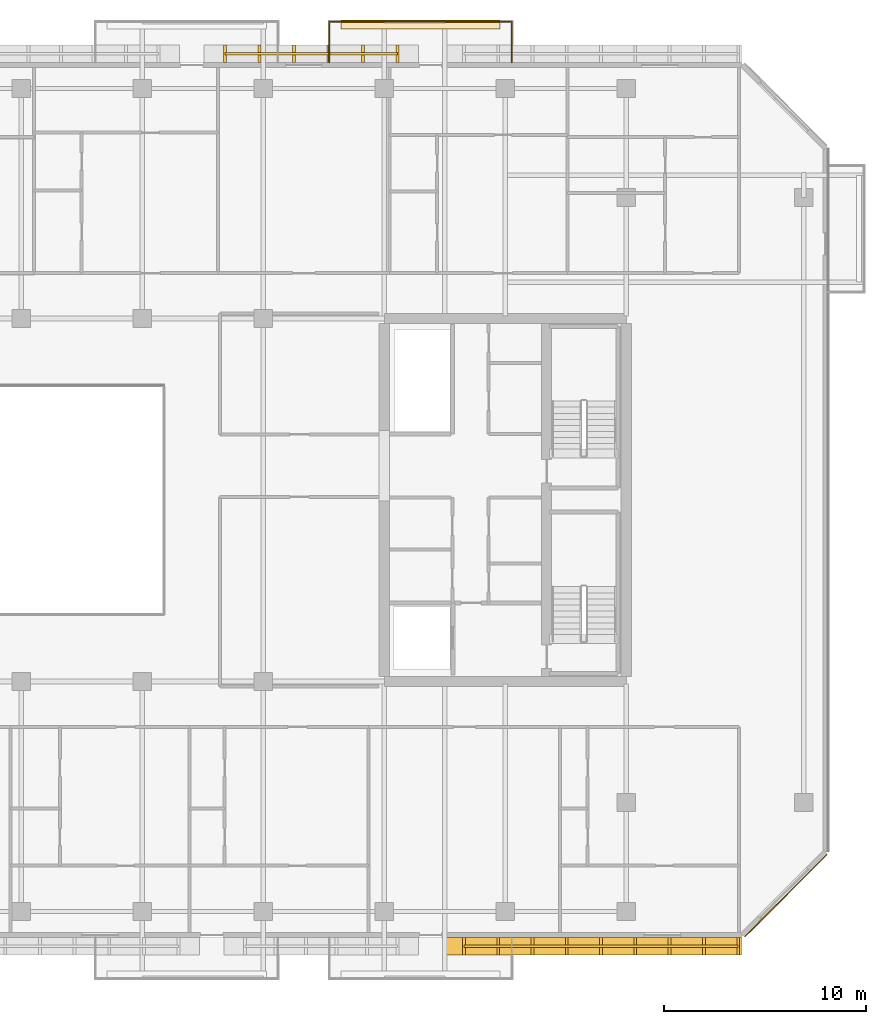
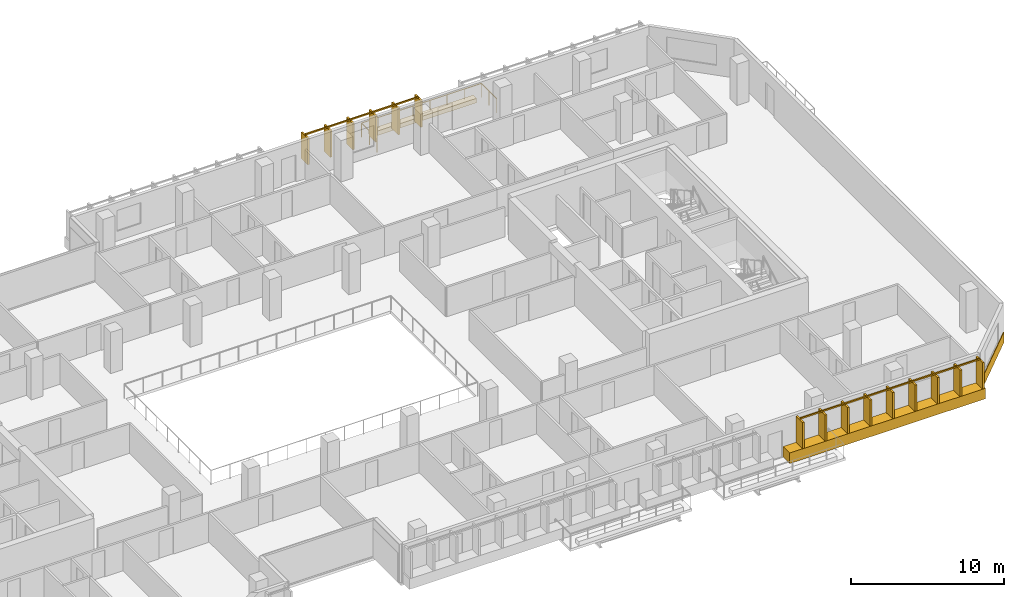
# One storey, part 19 of 21: 3 coverings, 3 railings.
"""IFC4 building model written with IfcOpenShell, lengths in metres."""

from ifc_helpers import new_model, si_unit, direction, frame, origin, origin_2d, place, context, subcontext, project, spatial, polyline, rectangle, outline, extrude, material, layer, layer_set, type_object, element, save


model = new_model("IFC4")

# Units and contexts
model_context = context("Model", 3, precision=1e-05, world=origin(), true_north=direction((0.0, 1.0)))
body_context = subcontext(model_context, "Body", "Model", "MODEL_VIEW")
ifc_project = project(units=[si_unit("LENGTHUNIT", "METRE"), si_unit("AREAUNIT", "SQUARE_METRE"), si_unit("VOLUMEUNIT", "CUBIC_METRE"), si_unit("PLANEANGLEUNIT", "RADIAN"), si_unit("MASSUNIT", "GRAM", prefix="KILO")], contexts=[model_context])

# Site, building, storey
site_placement = place(None, origin())
site = spatial("IfcSite", under=ifc_project, at=site_placement, CompositionType="ELEMENT")
building_placement = place(site_placement, origin())
building = spatial("IfcBuilding", under=site, at=building_placement, Name="Tanjung Sevakor Pilgrim Tower", CompositionType="ELEMENT")
storey_placement = place(building_placement, frame((0.0, 0.0, 145.199951171875)))
storey = spatial("IfcBuildingStorey", under=building, at=storey_placement, Name="L40", CompositionType="ELEMENT", Elevation=145.199951171875)

# Coverings
ifc_material_1 = material(Name="Reconstructed Limestone Cladding", Category="masonry")
ifc_layer_1 = layer(ifc_material_1, 0.044921875)
ifc_layer_set_1 = layer_set([ifc_layer_1], Name="COV-CLAD-LIMESTONE")
covering_type_1 = type_object("IfcCoveringType", Name="COV-CLAD-LIMESTONE", PredefinedType="CLADDING", material=ifc_layer_set_1)
covering_1_placement = place(storey_placement, frame((88.30908203125, 11.469970703125, 0.009765625), z_axis=(0.0, 0.0, 1.0), x_axis=(1.0, 0.0, 0.0)))
element("IfcCovering", 1, at=covering_1_placement, inside=storey, type_object=covering_type_1, Name="L40 Warm Limestone Sill Spandrel EW-L40-MAIN-5-3", PredefinedType="CLADDING", context=body_context, shape_type="SweptSolid", body=[
    extrude(rectangle(XDim=14.798095703125, YDim=0.860107421875, at=origin_2d()), origin(), (0.0, 0.0, 1.0), 0.840087890625),
])
covering_2_placement = place(storey_placement, frame((97.916015625, 13.984130859375, 0.009765625), z_axis=(0.0, 0.0, 1.0), x_axis=(0.707106781187, 0.707106781187, 0.0)))
element("IfcCovering", 2, at=covering_2_placement, inside=storey, type_object=covering_type_1, Name="L40 Warm Limestone Sill Spandrel EW-CHM-L40-MAIN-5-1", PredefinedType="CLADDING", context=body_context, shape_type="SweptSolid", body=[
    extrude(rectangle(XDim=5.756103515625, YDim=0.044921875, at=origin_2d()), origin(), (0.0, 0.0, 1.0), 0.840087890625),
])
ifc_material_2 = material(Name="Vegetated Modular Planter Assembly", Category="organic")
ifc_layer_2 = layer(ifc_material_2, 0.35009765625)
ifc_layer_set_2 = layer_set([ifc_layer_2], Name="COV-GRN-TROUGH")
covering_type_2 = type_object("IfcCoveringType", Name="COV-GRN-TROUGH", PredefinedType="CLADDING", material=ifc_layer_set_2)
covering_3_placement = place(storey_placement, origin())
element("IfcCovering", 3, at=covering_3_placement, inside=storey, type_object=covering_type_2, Name="L40 Planted Landscape Hedge Trough BGRN-L40-MAIN-N3", PredefinedType="CLADDING", context=body_context, shape_type="SweptSolid", body=[
    extrude(outline(polyline([(75.85009765625, 56.9599609375), (83.75, 56.9599609375), (83.75, 57.39990234375), (75.85009765625, 57.39990234375), (75.85009765625, 56.9599609375)])), origin(), (0.0, 0.0, 1.0), 0.35009765625),
])

# Railings
ifc_material_3 = material(Name="Laminated Glass and Aluminium", Category="aluminium")
railing_type_1 = type_object("IfcRailingType", Name="RL-BAL-BALUST", PredefinedType="BALUSTRADE", material=ifc_material_3)
railing_1_placement = place(storey_placement, frame((75.280029296875, 55.300048828125, 0.0)))
element("IfcRailing", 4, at=railing_1_placement, inside=storey, type_object=railing_type_1, Name="L40 Loggia Balustrade MAIN-N3", PredefinedType="BALUSTRADE", context=body_context, shape_type="SweptSolid", body=[
    extrude(rectangle(XDim=0.0479, YDim=0.0479), frame((0.0, 0.0, 1.1259765625), z_axis=(0.0, 1.0, 0.0), x_axis=(-1.0, 0.0, 0.0)), (0.0, 0.0, 1.0), 2.02001953125),
    extrude(rectangle(XDim=0.0479, YDim=0.0479), frame((0.0, 2.02001953125, 1.1259765625), z_axis=(1.0, 0.0, 0.0), x_axis=(0.0, 1.0, 0.0)), (0.0, 0.0, 1.0), 9.0400390625),
    extrude(rectangle(XDim=0.0479, YDim=0.0479), frame((9.0400390625, 2.02001953125, 1.1259765625), z_axis=(0.0, -1.0, 0.0), x_axis=(1.0, 0.0, 0.0)), (0.0, 0.0, 1.0), 2.02001953125),
    extrude(rectangle(XDim=0.042, YDim=0.042), origin(), (0.0, 0.0, 1.0), 1.101806640625),
    extrude(rectangle(XDim=0.042, YDim=0.042), frame((0.0, 1.010009765625, 0.0)), (0.0, 0.0, 1.0), 1.101806640625),
    extrude(rectangle(XDim=0.042, YDim=0.042), frame((0.0, 2.02001953125, 0.0)), (0.0, 0.0, 1.0), 1.101806640625),
    extrude(rectangle(XDim=0.042, YDim=0.042), frame((1.29150390625, 2.02001953125, 0.0)), (0.0, 0.0, 1.0), 1.101806640625),
    extrude(rectangle(XDim=0.042, YDim=0.042), frame((2.582763671875, 2.02001953125, 0.0)), (0.0, 0.0, 1.0), 1.101806640625),
    extrude(rectangle(XDim=0.042, YDim=0.042), frame((3.874267578125, 2.02001953125, 0.0)), (0.0, 0.0, 1.0), 1.101806640625),
    extrude(rectangle(XDim=0.042, YDim=0.042), frame((5.165771484375, 2.02001953125, 0.0)), (0.0, 0.0, 1.0), 1.101806640625),
    extrude(rectangle(XDim=0.042, YDim=0.042), frame((6.457275390625, 2.02001953125, 0.0)), (0.0, 0.0, 1.0), 1.101806640625),
    extrude(rectangle(XDim=0.042, YDim=0.042), frame((7.74853515625, 2.02001953125, 0.0)), (0.0, 0.0, 1.0), 1.101806640625),
    extrude(rectangle(XDim=0.042, YDim=0.042), frame((9.0400390625, 2.02001953125, 0.0)), (0.0, 0.0, 1.0), 1.101806640625),
    extrude(rectangle(XDim=0.042, YDim=0.042), frame((9.0400390625, 1.010009765625, 0.0)), (0.0, 0.0, 1.0), 1.101806640625),
    extrude(rectangle(XDim=0.042, YDim=0.042), frame((9.0400390625, 0.0, 0.0)), (0.0, 0.0, 1.0), 1.101806640625),
])
ifc_material_4 = material(Name="Anodised Bronze Aluminium 6063-T6", Category="aluminium")
railing_type_2 = type_object("IfcRailingType", Name="RL-FIN-SCREEN", PredefinedType="BALUSTRADE", material=ifc_material_4)
railing_2_placement = place(storey_placement, frame((81.949951171875, 11.47509765625, 0.840087890625)))
element("IfcRailing", 5, at=railing_2_placement, inside=storey, type_object=railing_type_2, Name="L40 Vertical Bronze-Gold Solar Fin Screen FNSCR-EW-L40-MAIN-5-3", PredefinedType="BALUSTRADE", context=body_context, shape_type="SweptSolid", body=[
    extrude(rectangle(XDim=0.105, YDim=0.105), frame((0.0, 0.0, 2.157470703125), z_axis=(1.0, 0.0, 0.0), x_axis=(0.0, 1.0, 0.0)), (0.0, 0.0, 1.0), 13.59814453125),
    extrude(rectangle(XDim=0.14, YDim=0.85), origin(), (0.0, 0.0, 1.0), 2.10498046875),
    extrude(rectangle(XDim=0.14, YDim=0.85), frame((1.69970703125, 0.0, 0.0)), (0.0, 0.0, 1.0), 2.10498046875),
    extrude(rectangle(XDim=0.14, YDim=0.85), frame((3.3994140625, 0.0, 0.0)), (0.0, 0.0, 1.0), 2.10498046875),
    extrude(rectangle(XDim=0.14, YDim=0.85), frame((5.099365234375, 0.0, 0.0)), (0.0, 0.0, 1.0), 2.10498046875),
    extrude(rectangle(XDim=0.14, YDim=0.85), frame((6.799072265625, 0.0, 0.0)), (0.0, 0.0, 1.0), 2.10498046875),
    extrude(rectangle(XDim=0.14, YDim=0.85), frame((8.498779296875, 0.0, 0.0)), (0.0, 0.0, 1.0), 2.10498046875),
    extrude(rectangle(XDim=0.14, YDim=0.85), frame((10.19873046875, 0.0, 0.0)), (0.0, 0.0, 1.0), 2.10498046875),
    extrude(rectangle(XDim=0.14, YDim=0.85), frame((11.8984375, 0.0, 0.0)), (0.0, 0.0, 1.0), 2.10498046875),
    extrude(rectangle(XDim=0.14, YDim=0.85), frame((13.59814453125, 0.0, 0.0)), (0.0, 0.0, 1.0), 2.10498046875),
])
railing_3_placement = place(storey_placement, frame((78.64990234375, 55.72509765625, 0.840087890625)))
element("IfcRailing", 6, at=railing_3_placement, inside=storey, type_object=railing_type_2, Name="L40 Vertical Bronze-Gold Solar Fin Screen FNSCR-EW-L40-MAIN-9-2", PredefinedType="BALUSTRADE", context=body_context, shape_type="SweptSolid", body=[
    extrude(rectangle(XDim=0.105, YDim=0.105), frame((0.0, 0.0, 2.157470703125), z_axis=(-1.0, 0.0, 0.0), x_axis=(0.0, -1.0, 0.0)), (0.0, 0.0, 1.0), 8.5498046875),
    extrude(rectangle(XDim=0.14, YDim=0.85), origin(), (0.0, 0.0, 1.0), 2.10498046875),
    extrude(rectangle(XDim=0.14, YDim=0.85), frame((-1.7099609375, 0.0, 0.0)), (0.0, 0.0, 1.0), 2.10498046875),
    extrude(rectangle(XDim=0.14, YDim=0.85), frame((-3.419921875, 0.0, 0.0)), (0.0, 0.0, 1.0), 2.10498046875),
    extrude(rectangle(XDim=0.14, YDim=0.85), frame((-5.1298828125, 0.0, 0.0)), (0.0, 0.0, 1.0), 2.10498046875),
    extrude(rectangle(XDim=0.14, YDim=0.85), frame((-6.83984375, 0.0, 0.0)), (0.0, 0.0, 1.0), 2.10498046875),
    extrude(rectangle(XDim=0.14, YDim=0.85), frame((-8.5498046875, 0.0, 0.0)), (0.0, 0.0, 1.0), 2.10498046875),
])

save(model, "model.ifc")
